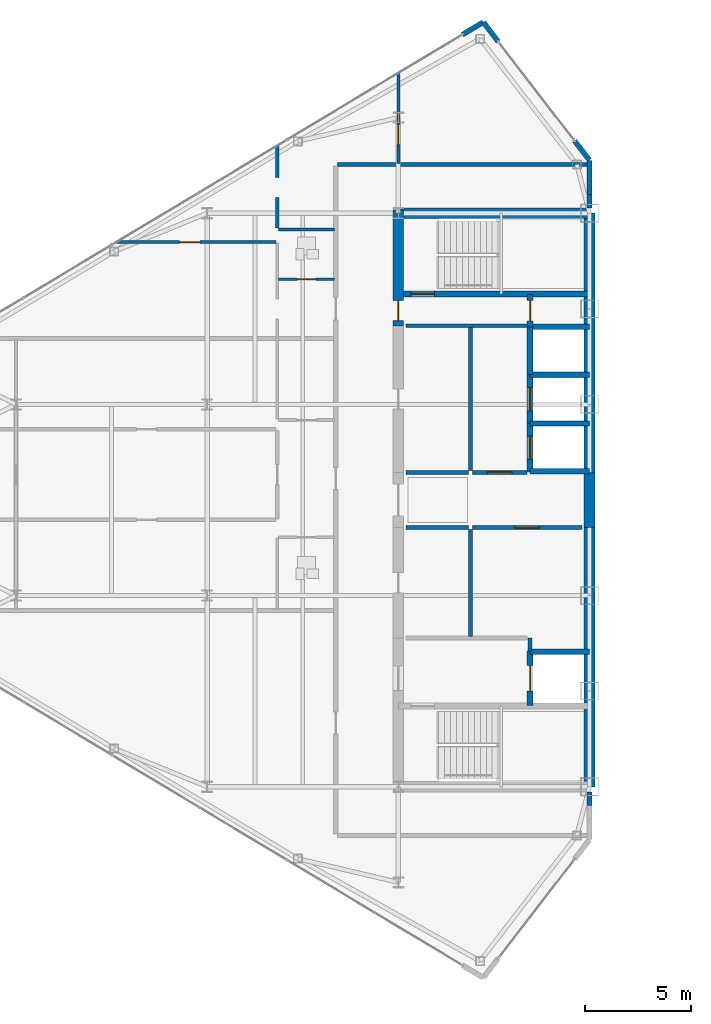
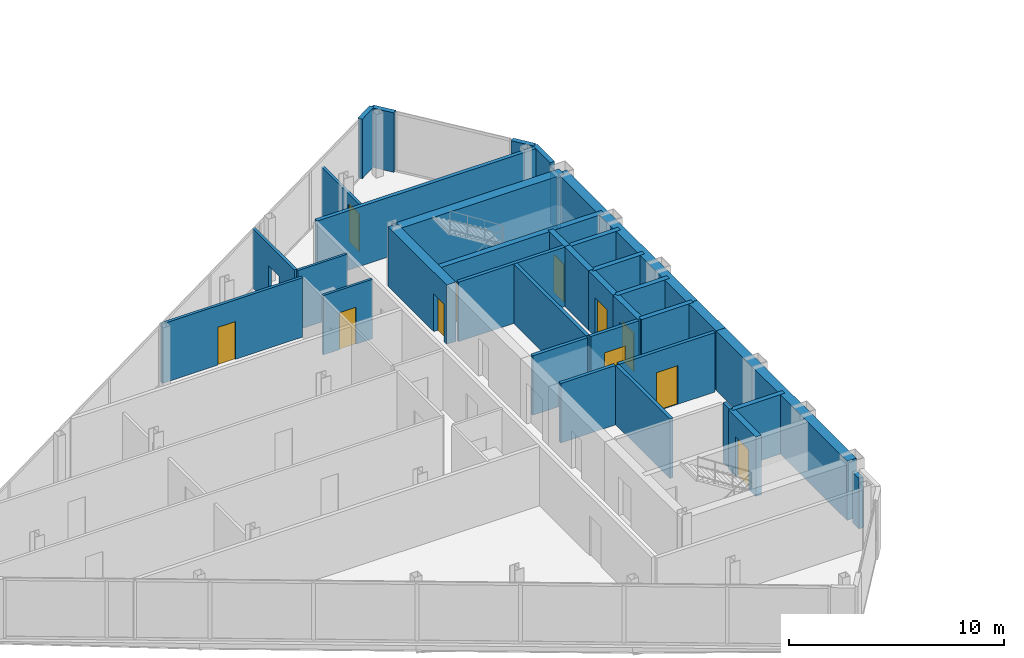
# One storey, part 20 of 25: 36 walls, 11 doors, 12 openings.
"""IFC4 building model written with IfcOpenShell, lengths in metres."""

from ifc_helpers import new_model, si_unit, direction, frame, frame_2d, origin, place, context, subcontext, project, spatial, rectangle, extrude, source, transform, mapped, material, layer, layer_set, type_object, type_shapes, element, fill, save


model = new_model("IFC4")

# Units and contexts
model_context = context("Model", 3, precision=1e-05, world=origin(), true_north=direction((0.0, 1.0)))
body_context = subcontext(model_context, "Body", "Model", "MODEL_VIEW")
ifc_project = project(units=[si_unit("LENGTHUNIT", "METRE"), si_unit("AREAUNIT", "SQUARE_METRE"), si_unit("VOLUMEUNIT", "CUBIC_METRE"), si_unit("PLANEANGLEUNIT", "RADIAN"), si_unit("MASSUNIT", "GRAM", prefix="KILO")], contexts=[model_context])

# Site, building, storey
site_placement = place(None, origin())
site = spatial("IfcSite", under=ifc_project, at=site_placement, CompositionType="ELEMENT")
building_placement = place(site_placement, origin())
building = spatial("IfcBuilding", under=site, at=building_placement, Name="Seokmaru Belvedere", CompositionType="ELEMENT")
storey_placement = place(building_placement, frame((0.0, 0.0, 217.5)))
storey = spatial("IfcBuildingStorey", under=building, at=storey_placement, Name="L58", CompositionType="ELEMENT", Elevation=217.5)

# Wall, opening, door
ifc_material_1 = material(Name="Fire-Rated Gypsum Shaftwall")
ifc_layer_1 = layer(ifc_material_1, 0.14990234375)
ifc_layer_set_1 = layer_set([ifc_layer_1], Name="Fire-Rated Gypsum Shaftwall")
wall_type_1 = type_object("IfcWallType", Name="Apartment Fire-Acoustic Room Partition 150", PredefinedType="PARTITIONING", material=ifc_layer_set_1)
wall_1_placement = place(storey_placement, frame((-49.802001953125, 12.139892578125, 0.0), z_axis=(0.0, 0.0, 1.0), x_axis=(1.0, 0.0, 0.0)))
wall_1 = element("IfcWall", 1, at=wall_1_placement, inside=storey, type_object=wall_type_1, Name="L58 Interior Partition 016", PredefinedType="PARTITIONING", context=body_context, shape_type="SweptSolid", body=[
    extrude(rectangle(XDim=7.552001953125, YDim=0.14990234375, at=frame_2d((3.77587890625, 0.0))), origin(), (0.0, 0.0, 1.0), 3.3798828125),
])
opening_1_placement = place(wall_1_placement, frame((3.001953125, 0.0, 0.0)))
opening_1 = element("IfcOpeningElement", 2, at=opening_1_placement, cuts=wall_1, Name="Opening D05", PredefinedType="OPENING", context=body_context, shape_type="SweptSolid", body=[
    extrude(rectangle(XDim=0.949951171875, YDim=2.14990234375, at=frame_2d((0.47509765625, 1.074951171875))), frame((0.0, 0.0849609375, 0.0), z_axis=(0.0, -1.0, 0.0), x_axis=(1.0, 0.0, 0.0)), (0.0, 0.0, 1.0), 0.169921875),
])
ifc_material_2 = material(Name="Engineered White Oak Timber", Category="wood")
door_type_1 = type_object("IfcDoorType", Name="Apartment Interior Fire-Rated Oak Door 950x2150", OperationType="NOTDEFINED", PredefinedType="DOOR", material=ifc_material_2)
shared_shape_1 = source(origin(), body_context, "Body", "SweptSolid", [
    extrude(rectangle(XDim=0.949951171875, YDim=2.14990234375, at=frame_2d((0.47509765625, 1.074951171875))), frame((0.0, 0.02490234375, 0.0), z_axis=(0.0, -1.0, 0.0), x_axis=(1.0, 0.0, 0.0)), (0.0, 0.0, 1.0), 0.050048828125),
])
type_shapes(door_type_1, [shared_shape_1])
door_1_placement = place(opening_1_placement, origin())
door_1 = element("IfcDoor", 3, at=door_1_placement, inside=storey, type_object=door_type_1, Name="L58 Interior Door 014", OperationType="SINGLE_SWING_RIGHT", OverallHeight=2.14990234375, OverallWidth=0.949951171875, PredefinedType="DOOR", context=body_context, shape_type="MappedRepresentation", body=[
    mapped(shared_shape_1, transform((0.0, 0.0, 0.0), scale=1.0)),
])
fill(opening_1, door_1)

# Wall, opening
wall_2_placement = place(storey_placement, frame((-42.199951171875, 12.794921875, 0.0), z_axis=(0.0, 0.0, 1.0), x_axis=(0.0, 1.0, 0.0)))
wall_2 = element("IfcWall", 4, at=wall_2_placement, inside=storey, type_object=wall_type_1, Name="L58 Interior Partition 024", PredefinedType="PARTITIONING", context=body_context, shape_type="SweptSolid", body=[
    extrude(rectangle(XDim=3.920166015625, YDim=0.14990234375, at=frame_2d((1.9599609375, 0.0))), origin(), (0.0, 0.0, 1.0), 3.3798828125),
])
opening_2_placement = place(wall_2_placement, frame((1.4423828125, 0.0, 0.0)))
element("IfcOpeningElement", 5, at=opening_2_placement, cuts=wall_2, Name="L58 Cased Opening 015", PredefinedType="OPENING", context=body_context, shape_type="SweptSolid", body=[
    extrude(rectangle(XDim=0.949951171875, YDim=2.14990234375, at=frame_2d((0.47509765625, 1.074951171875))), frame((0.0, 0.0849609375, 0.0), z_axis=(0.0, -1.0, 0.0), x_axis=(1.0, 0.0, 0.0)), (0.0, 0.0, 1.0), 0.169921875),
])

# Wall, opening, door
wall_3_placement = place(storey_placement, frame((-36.5, 15.85009765625, 0.0), z_axis=(0.0, 0.0, 1.0), x_axis=(0.0, 1.0, 0.0)))
wall_3 = element("IfcWall", 6, at=wall_3_placement, inside=storey, type_object=wall_type_1, Name="L58 Interior Partition 026", PredefinedType="PARTITIONING", context=body_context, shape_type="SweptSolid", body=[
    extrude(rectangle(XDim=4.284912109375, YDim=0.14990234375, at=frame_2d((2.142578125, 0.0))), origin(), (0.0, 0.0, 1.0), 2.780029296875),
])
opening_3_placement = place(wall_3_placement, frame((0.8779296875, 0.0, 0.0)))
opening_3 = element("IfcOpeningElement", 7, at=opening_3_placement, cuts=wall_3, Name="Opening D05", PredefinedType="OPENING", context=body_context, shape_type="SweptSolid", body=[
    extrude(rectangle(XDim=0.949951171875, YDim=2.14990234375, at=frame_2d((0.47509765625, 1.074951171875))), frame((0.0, 0.0849609375, 0.0), z_axis=(0.0, -1.0, 0.0), x_axis=(1.0, 0.0, 0.0)), (0.0, 0.0, 1.0), 0.169921875),
])
door_2_placement = place(opening_3_placement, origin())
door_2 = element("IfcDoor", 8, at=door_2_placement, inside=storey, type_object=door_type_1, Name="L58 Interior Door 016", OperationType="SINGLE_SWING_RIGHT", OverallHeight=2.14990234375, OverallWidth=0.949951171875, PredefinedType="DOOR", context=body_context, shape_type="MappedRepresentation", body=[
    mapped(shared_shape_1, transform((0.0, 0.0, 0.0), scale=1.0)),
])
fill(opening_3, door_2)

# Walls
ifc_layer_2 = layer(ifc_material_1, 0.179931640625)
ifc_layer_set_2 = layer_set([ifc_layer_2], Name="Fire-Rated Gypsum Shaftwall")
wall_type_2 = type_object("IfcWallType", Name="Core Service Fire Partition 180", PredefinedType="PARTITIONING", material=ifc_layer_set_2)
wall_4_placement = place(storey_placement, frame((-30.300048828125, -7.1201171875, 0.0), z_axis=(0.0, 0.0, 1.0), x_axis=(0.0, 1.0, 0.0)))
element("IfcWall", 9, at=wall_4_placement, inside=storey, type_object=wall_type_2, Name="L58 West Firefighting Lobby East Closure Wall", PredefinedType="PARTITIONING", context=body_context, shape_type="SweptSolid", body=[
    extrude(rectangle(XDim=0.6201171875, YDim=0.179931640625, at=frame_2d((0.31005859375, 0.0))), origin(), (0.0, 0.0, 1.0), 3.3798828125),
])
wall_5_placement = place(storey_placement, frame((-36.14990234375, 8.199951171875, 0.0), z_axis=(0.0, 0.0, 1.0), x_axis=(1.0, 0.0, 0.0)))
element("IfcWall", 10, at=wall_5_placement, inside=storey, type_object=wall_type_2, Name="L58 West Smokeproof Vestibule Partition", PredefinedType="PARTITIONING", context=body_context, shape_type="SweptSolid", body=[
    extrude(rectangle(XDim=5.699951171875, YDim=0.179931640625, at=frame_2d((2.85009765625, 0.0))), origin(), (0.0, 0.0, 1.0), 3.3798828125),
])
wall_6_placement = place(storey_placement, frame((-33.10009765625, -6.419921875, 0.0), z_axis=(0.0, 0.0, 1.0), x_axis=(0.0, 1.0, 0.0)))
element("IfcWall", 11, at=wall_6_placement, inside=storey, type_object=wall_type_2, Name="L58 West South Core Service Back Wall", PredefinedType="PARTITIONING", context=body_context, shape_type="SweptSolid", body=[
    extrude(rectangle(XDim=5.0400390625, YDim=0.179931640625, at=frame_2d((2.52001953125, 0.0))), origin(), (0.0, 0.0, 1.0), 3.3798828125),
])
wall_7_placement = place(storey_placement, frame((-33.10009765625, 1.3798828125, 0.0), z_axis=(0.0, 0.0, 1.0), x_axis=(0.0, 1.0, 0.0)))
element("IfcWall", 12, at=wall_7_placement, inside=storey, type_object=wall_type_2, Name="L58 West North Core Service Back Wall", PredefinedType="PARTITIONING", context=body_context, shape_type="SweptSolid", body=[
    extrude(rectangle(XDim=6.740234375, YDim=0.179931640625, at=frame_2d((3.3701171875, 0.0))), origin(), (0.0, 0.0, 1.0), 3.3798828125),
])

# Wall, opening, door
wall_8_placement = place(storey_placement, frame((-33.02001953125, -1.300048828125, 0.0), z_axis=(0.0, 0.0, 1.0), x_axis=(1.0, 0.0, 0.0)))
wall_8 = element("IfcWall", 13, at=wall_8_placement, inside=storey, type_object=wall_type_2, Name="L58 West South Lift Lobby Foyer Wall", PredefinedType="PARTITIONING", context=body_context, shape_type="SweptSolid", body=[
    extrude(rectangle(XDim=5.169921875, YDim=0.179931640625, at=frame_2d((2.5849609375, 0.0))), origin(), (0.0, 0.0, 1.0), 3.3798828125),
])
opening_4_placement = place(wall_8_placement, frame((2.010009765625, 0.0, 0.0)))
opening_4 = element("IfcOpeningElement", 14, at=opening_4_placement, cuts=wall_8, Name="Opening D02", PredefinedType="OPENING", context=body_context, shape_type="SweptSolid", body=[
    extrude(rectangle(XDim=1.14990234375, YDim=2.199951171875, at=frame_2d((0.574951171875, 1.10009765625))), frame((0.0, 0.10009765625, 0.0), z_axis=(0.0, -1.0, 0.0), x_axis=(1.0, 0.0, 0.0)), (0.0, 0.0, 1.0), 0.199951171875),
])
ifc_material_3 = material(Name="Fire-Rated Steel Leaf", Category="steel")
door_type_2 = type_object("IfcDoorType", Name="Lobby and Vestibule Fire Door 1150x2200", OperationType="NOTDEFINED", PredefinedType="DOOR", material=ifc_material_3)
shared_shape_2 = source(origin(), body_context, "Body", "SweptSolid", [
    extrude(rectangle(XDim=1.14990234375, YDim=2.199951171875, at=frame_2d((0.574951171875, 1.10009765625))), frame((0.0, 0.02490234375, 0.0), z_axis=(0.0, -1.0, 0.0), x_axis=(1.0, 0.0, 0.0)), (0.0, 0.0, 1.0), 0.050048828125),
])
type_shapes(door_type_2, [shared_shape_2])
door_3_placement = place(opening_4_placement, origin())
door_3 = element("IfcDoor", 15, at=door_3_placement, inside=storey, type_object=door_type_2, Name="L58 West South Core Foyer Door", OperationType="SINGLE_SWING_LEFT", OverallHeight=2.199951171875, OverallWidth=1.14990234375, PredefinedType="DOOR", context=body_context, shape_type="MappedRepresentation", body=[
    mapped(shared_shape_2, transform((0.0, 0.0, 0.0), scale=1.0)),
])
fill(opening_4, door_3)

wall_9_placement = place(storey_placement, frame((-33.02001953125, 1.300048828125, 0.0), z_axis=(0.0, 0.0, 1.0), x_axis=(1.0, 0.0, 0.0)))
wall_9 = element("IfcWall", 16, at=wall_9_placement, inside=storey, type_object=wall_type_2, Name="L58 West North Lift Lobby Foyer Wall", PredefinedType="PARTITIONING", context=body_context, shape_type="SweptSolid", body=[
    extrude(rectangle(XDim=2.570068359375, YDim=0.179931640625, at=frame_2d((1.28515625, 0.0))), origin(), (0.0, 0.0, 1.0), 3.3798828125),
])
opening_5_placement = place(wall_9_placement, frame((0.7099609375, 0.0, 0.0)))
opening_5 = element("IfcOpeningElement", 17, at=opening_5_placement, cuts=wall_9, Name="Opening D02", PredefinedType="OPENING", context=body_context, shape_type="SweptSolid", body=[
    extrude(rectangle(XDim=1.14990234375, YDim=2.199951171875, at=frame_2d((0.574951171875, 1.10009765625))), frame((0.0, 0.10009765625, 0.0), z_axis=(0.0, -1.0, 0.0), x_axis=(1.0, 0.0, 0.0)), (0.0, 0.0, 1.0), 0.199951171875),
])
door_4_placement = place(opening_5_placement, origin())
door_4 = element("IfcDoor", 18, at=door_4_placement, inside=storey, type_object=door_type_2, Name="L58 West North Lift Lobby Door", OperationType="SINGLE_SWING_RIGHT", OverallHeight=2.199951171875, OverallWidth=1.14990234375, PredefinedType="DOOR", context=body_context, shape_type="MappedRepresentation", body=[
    mapped(shared_shape_2, transform((0.0, 0.0, 0.0), scale=1.0)),
])
fill(opening_5, door_4)

# Walls
for number, where, z_axis, x_axis, name in (
    (19, (-36.14990234375, -1.300048828125, 0.0), (0.0, 0.0, 1.0), (1.0, 0.0, 0.0), "L58 West Foyer Side Wall S"),
    (20, (-36.14990234375, 1.300048828125, 0.0), (0.0, 0.0, 1.0), (1.0, 0.0, 0.0), "L58 West Foyer Side Wall N"),
):
    element("IfcWall", number, at=place(storey_placement, frame(where, z_axis=z_axis, x_axis=x_axis)), inside=storey, type_object=wall_type_2, Name=name, PredefinedType="PARTITIONING", context=body_context, shape_type="SweptSolid", body=[
        extrude(rectangle(XDim=2.949951171875, YDim=0.179931640625, at=frame_2d((1.47509765625, 0.0))), origin(), (0.0, 0.0, 1.0), 3.3798828125),
    ])
ifc_material_4 = material(Name="Concrete C50 (50 MPa)", Category="concrete")
ifc_layer_3 = layer(ifc_material_4, 0.25)
ifc_layer_set_3 = layer_set([ifc_layer_3], Name="Concrete C50 (50 MPa)")
wall_type_3 = type_object("IfcWallType", Name="Hoistway Transverse Concrete Divider Wall 250", PredefinedType="SHEAR", material=ifc_layer_set_3)
for number, where, z_axis, x_axis, name in (
    (21, (-30.300048828125, -7.14990234375, 0.0), (0.0, 0.0, 1.0), (1.0, 0.0, 0.0), "L58 West Hoistway Divider Core Wall 1"),
    (22, (-30.300048828125, 1.35009765625, 0.0), (0.0, 0.0, 1.0), (1.0, 0.0, 0.0), "L58 West Hoistway Divider Core Wall 2"),
    (23, (-30.300048828125, 3.60009765625, 0.0), (0.0, 0.0, 1.0), (1.0, 0.0, 0.0), "L58 West Hoistway Divider Core Wall 3"),
    (24, (-30.300048828125, 5.89990234375, 0.0), (0.0, 0.0, 1.0), (1.0, 0.0, 0.0), "L58 West Hoistway Divider Core Wall 4"),
    (25, (-30.300048828125, 8.14990234375, 0.0), (0.0, 0.0, 1.0), (1.0, 0.0, 0.0), "L58 West Hoistway Divider Core Wall 5"),
):
    element("IfcWall", number, at=place(storey_placement, frame(where, z_axis=z_axis, x_axis=x_axis)), inside=storey, type_object=wall_type_3, Name=name, PredefinedType="SHEAR", context=body_context, shape_type="SweptSolid", body=[
        extrude(rectangle(XDim=2.800048828125, YDim=0.25, at=frame_2d((1.39990234375, 0.0))), origin(), (0.0, 0.0, 1.0), 3.3798828125),
    ])
ifc_layer_4 = layer(ifc_material_1, 0.199951171875)
ifc_layer_set_4 = layer_set([ifc_layer_4], Name="Fire-Rated Gypsum Shaftwall")
wall_type_4 = type_object("IfcWallType", Name="Inter-Tenancy Fire Compartment Partition 200", PredefinedType="PARTITIONING", material=ifc_layer_set_4)
wall_10_placement = place(storey_placement, frame((-39.364990234375, 15.800048828125, 0.0), z_axis=(0.0, 0.0, 1.0), x_axis=(1.0, 0.0, 0.0)))
element("IfcWall", 26, at=wall_10_placement, inside=storey, type_object=wall_type_4, Name="L58 Interior Partition 018", PredefinedType="PARTITIONING", context=body_context, shape_type="SweptSolid", body=[
    extrude(rectangle(XDim=11.739990234375, YDim=0.199951171875, at=frame_2d((5.8701171875, 0.0))), origin(), (0.0, 0.0, 1.0), 3.3798828125),
])

# Wall, opening, door
ifc_layer_5 = layer(ifc_material_4, 0.300048828125)
ifc_layer_set_5 = layer_set([ifc_layer_5], Name="Concrete C50 (50 MPa)")
wall_type_5 = type_object("IfcWallType", Name="Internal Core Stair and Hoistway Wall 300", PredefinedType="SHEAR", material=ifc_layer_set_5)
wall_11_placement = place(storey_placement, frame((-36.5, 9.699951171875, 0.0), z_axis=(0.0, 0.0, 1.0), x_axis=(1.0, 0.0, 0.0)))
wall_11 = element("IfcWall", 27, at=wall_11_placement, inside=storey, type_object=wall_type_5, Name="L58 West Stair ST-2 Enclosure Wall", PredefinedType="SHEAR", context=body_context, shape_type="SweptSolid", body=[
    extrude(rectangle(XDim=9.0, YDim=0.300048828125, at=frame_2d((4.5, 0.0))), origin(), (0.0, 0.0, 1.0), 3.3798828125),
])
opening_6_placement = place(wall_11_placement, frame((0.60009765625, 0.0, 0.0)))
opening_6 = element("IfcOpeningElement", 28, at=opening_6_placement, cuts=wall_11, Name="Opening D01", PredefinedType="OPENING", context=body_context, shape_type="SweptSolid", body=[
    extrude(rectangle(XDim=1.10009765625, YDim=2.199951171875, at=frame_2d((0.550048828125, 1.10009765625))), frame((0.0, 0.16015625, 0.0), z_axis=(0.0, -1.0, 0.0), x_axis=(1.0, 0.0, 0.0)), (0.0, 0.0, 1.0), 0.320068359375),
])
door_type_3 = type_object("IfcDoorType", Name="Special Escape Stair Smokeproof Fire Door 1100x2200", OperationType="NOTDEFINED", PredefinedType="DOOR", material=ifc_material_3)
shared_shape_3 = source(origin(), body_context, "Body", "SweptSolid", [
    extrude(rectangle(XDim=1.10009765625, YDim=2.199951171875, at=frame_2d((0.550048828125, 1.10009765625))), frame((0.0, 0.02490234375, 0.0), z_axis=(0.0, -1.0, 0.0), x_axis=(1.0, 0.0, 0.0)), (0.0, 0.0, 1.0), 0.050048828125),
])
type_shapes(door_type_3, [shared_shape_3])
door_5_placement = place(opening_6_placement, origin())
door_5 = element("IfcDoor", 29, at=door_5_placement, inside=storey, type_object=door_type_3, Name="L58 West Special Escape Stair ST-2 Door", OperationType="SINGLE_SWING_RIGHT", OverallHeight=2.199951171875, OverallWidth=1.10009765625, PredefinedType="DOOR", context=body_context, shape_type="MappedRepresentation", body=[
    mapped(shared_shape_3, transform((0.0, 0.0, 0.0), scale=1.0)),
])
fill(opening_6, door_5)

wall_12_placement = place(storey_placement, frame((-30.300048828125, -9.679931640625, 0.0), z_axis=(0.0, 0.0, 1.0), x_axis=(0.0, 1.0, 0.0)))
wall_12 = element("IfcWall", 30, at=wall_12_placement, inside=storey, type_object=wall_type_5, Name="L58 West Firefighting Lift Shaft Front Wall", PredefinedType="SHEAR", context=body_context, shape_type="SweptSolid", body=[
    extrude(rectangle(XDim=2.559814453125, YDim=0.300048828125, at=frame_2d((1.27978515625, 0.0))), origin(), (0.0, 0.0, 1.0), 3.3798828125),
])
opening_7_placement = place(wall_12_placement, frame((0.679931640625, 0.0, 0.0)))
opening_7 = element("IfcOpeningElement", 31, at=opening_7_placement, cuts=wall_12, Name="Opening LD2", PredefinedType="OPENING", context=body_context, shape_type="SweptSolid", body=[
    extrude(rectangle(XDim=1.199951171875, YDim=2.25, at=frame_2d((0.60009765625, 1.125))), frame((0.0, 0.16015625, 0.0), z_axis=(0.0, -1.0, 0.0), x_axis=(1.0, 0.0, 0.0)), (0.0, 0.0, 1.0), 0.320068359375),
])
ifc_material_5 = material(Name="Stainless Steel 316", Category="steel")
door_type_4 = type_object("IfcDoorType", Name="Firefighting Lift Sliding Landing Door 1200x2250", OperationType="DOUBLE_DOOR_SLIDING", PredefinedType="DOOR", material=ifc_material_5)
shared_shape_4 = source(origin(), body_context, "Body", "SweptSolid", [
    extrude(rectangle(XDim=1.199951171875, YDim=2.25, at=frame_2d((0.60009765625, 1.125))), frame((0.0, 0.02490234375, 0.0), z_axis=(0.0, -1.0, 0.0), x_axis=(1.0, 0.0, 0.0)), (0.0, 0.0, 1.0), 0.050048828125),
])
type_shapes(door_type_4, [shared_shape_4])
door_6_placement = place(opening_7_placement, origin())
door_6 = element("IfcDoor", 32, at=door_6_placement, inside=storey, type_object=door_type_4, Name="L58 West Firefighting Lift Landing Door", OperationType="DOUBLE_DOOR_SLIDING", OverallHeight=2.25, OverallWidth=1.199951171875, PredefinedType="DOOR", context=body_context, shape_type="MappedRepresentation", body=[
    mapped(shared_shape_4, transform((0.0, 0.0, 0.0), scale=1.0)),
])
fill(opening_7, door_6)

wall_13_placement = place(storey_placement, frame((-30.300048828125, 1.320068359375, 0.0), z_axis=(0.0, 0.0, 1.0), x_axis=(0.0, 1.0, 0.0)))
wall_13 = element("IfcWall", 33, at=wall_13_placement, inside=storey, type_object=wall_type_5, Name="L58 West North Hoistway Wall PH1", PredefinedType="SHEAR", context=body_context, shape_type="SweptSolid", body=[
    extrude(rectangle(XDim=2.280029296875, YDim=0.300048828125, at=frame_2d((1.14013671875, 0.0))), origin(), (0.0, 0.0, 1.0), 3.3798828125),
])
opening_8_placement = place(wall_13_placement, frame((0.590087890625, 0.0, 0.0)))
opening_8 = element("IfcOpeningElement", 34, at=opening_8_placement, cuts=wall_13, Name="Opening LD1", PredefinedType="OPENING", context=body_context, shape_type="SweptSolid", body=[
    extrude(rectangle(XDim=1.10009765625, YDim=2.199951171875, at=frame_2d((0.550048828125, 1.10009765625))), frame((0.0, 0.16015625, 0.0), z_axis=(0.0, -1.0, 0.0), x_axis=(1.0, 0.0, 0.0)), (0.0, 0.0, 1.0), 0.320068359375),
])
door_type_5 = type_object("IfcDoorType", Name="Passenger Lift Sliding Landing Door 1100x2200", OperationType="DOUBLE_DOOR_SLIDING", PredefinedType="DOOR", material=ifc_material_5)
shared_shape_5 = source(origin(), body_context, "Body", "SweptSolid", [
    extrude(rectangle(XDim=1.10009765625, YDim=2.199951171875, at=frame_2d((0.550048828125, 1.10009765625))), frame((0.0, 0.02490234375, 0.0), z_axis=(0.0, -1.0, 0.0), x_axis=(1.0, 0.0, 0.0)), (0.0, 0.0, 1.0), 0.050048828125),
])
type_shapes(door_type_5, [shared_shape_5])
door_7_placement = place(opening_8_placement, origin())
door_7 = element("IfcDoor", 35, at=door_7_placement, inside=storey, type_object=door_type_5, Name="L58 West High-Rise Lift PH-1 Landing Door", OperationType="DOUBLE_DOOR_SLIDING", OverallHeight=2.199951171875, OverallWidth=1.10009765625, PredefinedType="DOOR", context=body_context, shape_type="MappedRepresentation", body=[
    mapped(shared_shape_5, transform((0.0, 0.0, 0.0), scale=1.0)),
])
fill(opening_8, door_7)

wall_14_placement = place(storey_placement, frame((-30.300048828125, 3.60009765625, 0.0), z_axis=(0.0, 0.0, 1.0), x_axis=(0.0, 1.0, 0.0)))
wall_14 = element("IfcWall", 36, at=wall_14_placement, inside=storey, type_object=wall_type_5, Name="L58 West North Hoistway Wall PH2", PredefinedType="SHEAR", context=body_context, shape_type="SweptSolid", body=[
    extrude(rectangle(XDim=2.2998046875, YDim=0.300048828125, at=frame_2d((1.14990234375, 0.0))), origin(), (0.0, 0.0, 1.0), 3.3798828125),
])
opening_9_placement = place(wall_14_placement, frame((0.60009765625, 0.0, 0.0)))
opening_9 = element("IfcOpeningElement", 37, at=opening_9_placement, cuts=wall_14, Name="Opening LD1", PredefinedType="OPENING", context=body_context, shape_type="SweptSolid", body=[
    extrude(rectangle(XDim=1.10009765625, YDim=2.199951171875, at=frame_2d((0.550048828125, 1.10009765625))), frame((0.0, 0.16015625, 0.0), z_axis=(0.0, -1.0, 0.0), x_axis=(1.0, 0.0, 0.0)), (0.0, 0.0, 1.0), 0.320068359375),
])
door_8_placement = place(opening_9_placement, origin())
door_8 = element("IfcDoor", 38, at=door_8_placement, inside=storey, type_object=door_type_5, Name="L58 West High-Rise Lift PH-2 Landing Door", OperationType="DOUBLE_DOOR_SLIDING", OverallHeight=2.199951171875, OverallWidth=1.10009765625, PredefinedType="DOOR", context=body_context, shape_type="MappedRepresentation", body=[
    mapped(shared_shape_5, transform((0.0, 0.0, 0.0), scale=1.0)),
])
fill(opening_9, door_8)

# Wall
wall_15_placement = place(storey_placement, frame((-30.300048828125, 5.89990234375, 0.0), z_axis=(0.0, 0.0, 1.0), x_axis=(0.0, 1.0, 0.0)))
element("IfcWall", 39, at=wall_15_placement, inside=storey, type_object=wall_type_5, Name="L58 West North Hoistway Wall OBS", PredefinedType="SHEAR", context=body_context, shape_type="SweptSolid", body=[
    extrude(rectangle(XDim=2.25, YDim=0.300048828125, at=frame_2d((1.125, 0.0))), origin(), (0.0, 0.0, 1.0), 3.3798828125),
])

# Wall, opening, door
wall_16_placement = place(storey_placement, frame((-30.300048828125, 8.14990234375, 0.0), z_axis=(0.0, 0.0, 1.0), x_axis=(0.0, 1.0, 0.0)))
wall_16 = element("IfcWall", 40, at=wall_16_placement, inside=storey, type_object=wall_type_5, Name="L58 West Electrical Riser Front Wall", PredefinedType="SHEAR", context=body_context, shape_type="SweptSolid", body=[
    extrude(rectangle(XDim=1.530029296875, YDim=0.300048828125, at=frame_2d((0.76513671875, 0.0))), origin(), (0.0, 0.0, 1.0), 3.3798828125),
])
opening_10_placement = place(wall_16_placement, frame((0.284912109375, 0.0, 0.0)))
opening_10 = element("IfcOpeningElement", 41, at=opening_10_placement, cuts=wall_16, Name="Opening D04", PredefinedType="OPENING", context=body_context, shape_type="SweptSolid", body=[
    extrude(rectangle(XDim=0.949951171875, YDim=2.14990234375, at=frame_2d((0.47509765625, 1.074951171875))), frame((0.0, 0.16015625, 0.0), z_axis=(0.0, -1.0, 0.0), x_axis=(1.0, 0.0, 0.0)), (0.0, 0.0, 1.0), 0.320068359375),
])
door_type_6 = type_object("IfcDoorType", Name="Core Service Room Fire Door 950x2150", OperationType="NOTDEFINED", PredefinedType="DOOR", material=ifc_material_3)
shared_shape_6 = source(origin(), body_context, "Body", "SweptSolid", [
    extrude(rectangle(XDim=0.949951171875, YDim=2.14990234375, at=frame_2d((0.47509765625, 1.074951171875))), frame((0.0, 0.02490234375, 0.0), z_axis=(0.0, -1.0, 0.0), x_axis=(1.0, 0.0, 0.0)), (0.0, 0.0, 1.0), 0.050048828125),
])
type_shapes(door_type_6, [shared_shape_6])
door_9_placement = place(opening_10_placement, origin())
door_9 = element("IfcDoor", 42, at=door_9_placement, inside=storey, type_object=door_type_6, Name="L58 West Electrical Riser Access Door", OperationType="SINGLE_SWING_LEFT", OverallHeight=2.14990234375, OverallWidth=0.949951171875, PredefinedType="DOOR", context=body_context, shape_type="MappedRepresentation", body=[
    mapped(shared_shape_6, transform((0.0, 0.0, 0.0), scale=1.0)),
])
fill(opening_10, door_9)

ifc_layer_6 = layer(ifc_material_1, 0.1298828125)
ifc_layer_set_6 = layer_set([ifc_layer_6], Name="Fire-Rated Gypsum Shaftwall")
wall_type_6 = type_object("IfcWallType", Name="Moisture-Resistant Fire-Rated Bathroom Partition 130", PredefinedType="PARTITIONING", material=ifc_layer_set_6)
wall_17_placement = place(storey_placement, frame((-42.14990234375, 10.389892578125, 0.0), z_axis=(0.0, 0.0, 1.0), x_axis=(1.0, 0.0, 0.0)))
wall_17 = element("IfcWall", 43, at=wall_17_placement, inside=storey, type_object=wall_type_6, Name="L58 Interior Partition 015", PredefinedType="PARTITIONING", context=body_context, shape_type="SweptSolid", body=[
    extrude(rectangle(XDim=2.64990234375, YDim=0.1298828125, at=frame_2d((1.324951171875, 0.0))), origin(), (0.0, 0.0, 1.0), 3.3798828125),
])
opening_11_placement = place(wall_17_placement, frame((0.885009765625, 0.0, 0.0)))
opening_11 = element("IfcOpeningElement", 44, at=opening_11_placement, cuts=wall_17, Name="Opening D06", PredefinedType="OPENING", context=body_context, shape_type="SweptSolid", body=[
    extrude(rectangle(XDim=0.8798828125, YDim=2.10009765625, at=frame_2d((0.43994140625, 1.050048828125))), frame((0.0, 0.074951171875, 0.0), z_axis=(0.0, -1.0, 0.0), x_axis=(1.0, 0.0, 0.0)), (0.0, 0.0, 1.0), 0.14990234375),
])
door_type_7 = type_object("IfcDoorType", Name="Bathroom and Restroom Fire-Rated Door 880x2100", OperationType="NOTDEFINED", PredefinedType="DOOR", material=ifc_material_2)
shared_shape_7 = source(origin(), body_context, "Body", "SweptSolid", [
    extrude(rectangle(XDim=0.8798828125, YDim=2.10009765625, at=frame_2d((0.43994140625, 1.050048828125))), frame((0.0, 0.02490234375, 0.0), z_axis=(0.0, -1.0, 0.0), x_axis=(1.0, 0.0, 0.0)), (0.0, 0.0, 1.0), 0.050048828125),
])
type_shapes(door_type_7, [shared_shape_7])
door_10_placement = place(opening_11_placement, origin())
door_10 = element("IfcDoor", 45, at=door_10_placement, inside=storey, type_object=door_type_7, Name="L58 Interior Door 012", OperationType="SINGLE_SWING_LEFT", OverallHeight=2.10009765625, OverallWidth=0.8798828125, PredefinedType="DOOR", context=body_context, shape_type="MappedRepresentation", body=[
    mapped(shared_shape_7, transform((0.0, 0.0, 0.0), scale=1.0)),
])
fill(opening_11, door_10)

# Walls
wall_18_placement = place(storey_placement, frame((-42.14990234375, 12.739990234375, 0.0), z_axis=(0.0, 0.0, 1.0), x_axis=(1.0, 0.0, 0.0)))
element("IfcWall", 46, at=wall_18_placement, inside=storey, type_object=wall_type_6, Name="L58 Interior Partition 017", PredefinedType="PARTITIONING", context=body_context, shape_type="SweptSolid", body=[
    extrude(rectangle(XDim=2.64990234375, YDim=0.1298828125, at=frame_2d((1.324951171875, 0.0))), origin(), (0.0, 0.0, 1.0), 3.3798828125),
])
ifc_material_6 = material(Name="Anodised Bronze Aluminium", Category="aluminium")
ifc_layer_7 = layer(ifc_material_6, 0.239990234375)
ifc_layer_set_7 = layer_set([ifc_layer_7], Name="Anodised Bronze Aluminium")
wall_type_7 = type_object("IfcWallType", Name="Tower Corner Spandrel Closure Wall 240", PredefinedType="SOLIDWALL", material=ifc_layer_set_7)
for number, where, z_axis, x_axis, name in (
    (47, (-27.5, -14.374755859375, 0.0), (0.0, 0.0, 1.0), (0.0, 1.0, 0.0), "L58 W Shoulder Closure Wall 1 Part 2"),
    (48, (-27.5, 13.7548828125, 0.0), (0.0, 0.0, 1.0), (0.0, 1.0, 0.0), "L58 W Shoulder Closure Wall 2"),
):
    element("IfcWall", number, at=place(storey_placement, frame(where, z_axis=z_axis, x_axis=x_axis)), inside=storey, type_object=wall_type_7, Name=name, PredefinedType="SOLIDWALL", context=body_context, shape_type="SweptSolid", body=[
        extrude(rectangle(XDim=0.619873046875, YDim=0.239990234375, at=frame_2d((0.31005859375, 0.0))), origin(), (0.0, 0.0, 1.0), 2.8798828125),
    ])
wall_19_placement = place(storey_placement, frame((-27.5, 14.374755859375, 0.0), z_axis=(0.0, 0.0, 1.0), x_axis=(0.0, 1.0, 0.0)))
element("IfcWall", 49, at=wall_19_placement, inside=storey, type_object=wall_type_7, Name="L58 W Shoulder Closure Wall 2 Part 2", PredefinedType="SOLIDWALL", context=body_context, shape_type="SweptSolid", body=[
    extrude(rectangle(XDim=1.605224609375, YDim=0.239990234375, at=frame_2d((0.802734375, 0.0))), origin(), (0.0, 0.0, 1.0), 3.3798828125),
])
for number, where, z_axis, x_axis, name in (
    (50, (-27.506103515625, 16.0078125, 0.0), (0.0, 0.0, 1.0), (-0.609617623633, 0.792695624408, 0.0), "L58 W Corner Closure Pier 2A"),
    (51, (-31.798828125, 21.58837890625, 0.0), (0.0, 0.0, 1.0), (-0.609617623633, 0.792695624408, 0.0), "L58 W Corner Closure Pier 2B"),
    (52, (-32.508544921875, 22.494873046875, 0.0), (0.0, 0.0, 1.0), (-0.85743623509, -0.514590228002, 0.0), "L58 W Corner Closure Pier 3A"),
):
    element("IfcWall", number, at=place(storey_placement, frame(where, z_axis=z_axis, x_axis=x_axis)), inside=storey, type_object=wall_type_7, Name=name, PredefinedType="SOLIDWALL", context=body_context, shape_type="SweptSolid", body=[
        extrude(rectangle(XDim=1.14013671875, YDim=0.239990234375, at=frame_2d((0.570068359375, 0.0))), origin(), (0.0, 0.0, 1.0), 3.3798828125),
    ])
ifc_layer_8 = layer(ifc_material_4, 0.5)
ifc_layer_set_8 = layer_set([ifc_layer_8], Name="Concrete C50 (50 MPa)")
wall_type_8 = type_object("IfcWallType", Name="Upper Tower Reinforced Concrete Core Wall 500", PredefinedType="SHEAR", material=ifc_layer_set_8)
for number, where, z_axis, x_axis, name in (
    (53, (-27.5, -13.5, 0.0), (0.0, 0.0, 1.0), (0.0, 1.0, 0.0), "L58 West Portal Spine Core Wall South"),
    (54, (-27.5, 1.300048828125, 0.0), (0.0, 0.0, 1.0), (0.0, 1.0, 0.0), "L58 West Portal Spine Core Wall North"),
):
    element("IfcWall", number, at=place(storey_placement, frame(where, z_axis=z_axis, x_axis=x_axis)), inside=storey, type_object=wall_type_8, Name=name, PredefinedType="SHEAR", context=body_context, shape_type="SweptSolid", body=[
        extrude(rectangle(XDim=12.199951171875, YDim=0.5, at=frame_2d((6.10009765625, 0.0))), origin(), (0.0, 0.0, 1.0), 3.3798828125),
    ])
wall_20_placement = place(storey_placement, frame((-27.5, -1.300048828125, 0.0), z_axis=(0.0, 0.0, 1.0), x_axis=(0.0, 1.0, 0.0)))
element("IfcWall", 55, at=wall_20_placement, inside=storey, type_object=wall_type_8, Name="L58 West Portal Spine Core Wall Center", PredefinedType="SHEAR", context=body_context, shape_type="SweptSolid", body=[
    extrude(rectangle(XDim=2.60009765625, YDim=0.5, at=frame_2d((1.300048828125, 0.0))), origin(), (0.0, 0.0, 1.0), 3.3798828125),
])
wall_21_placement = place(storey_placement, frame((-36.5, 13.5, 0.0), z_axis=(0.0, 0.0, 1.0), x_axis=(1.0, 0.0, 0.0)))
element("IfcWall", 56, at=wall_21_placement, inside=storey, type_object=wall_type_8, Name="L58 West North Core Wall", PredefinedType="SHEAR", context=body_context, shape_type="SweptSolid", body=[
    extrude(rectangle(XDim=9.0, YDim=0.5, at=frame_2d((4.5, 0.0))), origin(), (0.0, 0.0, 1.0), 3.3798828125),
])

# Wall, opening, door
wall_22_placement = place(storey_placement, frame((-36.5, 8.199951171875, 0.0), z_axis=(0.0, 0.0, 1.0), x_axis=(0.0, 1.0, 0.0)))
wall_22 = element("IfcWall", 57, at=wall_22_placement, inside=storey, type_object=wall_type_8, Name="L58 West West Core Wall VST", PredefinedType="SHEAR", context=body_context, shape_type="SweptSolid", body=[
    extrude(rectangle(XDim=5.449951171875, YDim=0.5, at=frame_2d((2.72509765625, 0.0))), origin(), (0.0, 0.0, 1.0), 3.3798828125),
])
opening_12_placement = place(wall_22_placement, frame((0.2451171875, 0.0, 0.0)))
opening_12 = element("IfcOpeningElement", 58, at=opening_12_placement, cuts=wall_22, Name="Opening D04", PredefinedType="OPENING", context=body_context, shape_type="SweptSolid", body=[
    extrude(rectangle(XDim=0.949951171875, YDim=2.14990234375, at=frame_2d((0.47509765625, 1.074951171875))), frame((0.0, 0.260009765625, 0.0), z_axis=(0.0, -1.0, 0.0), x_axis=(1.0, 0.0, 0.0)), (0.0, 0.0, 1.0), 0.52001953125),
])
door_11_placement = place(opening_12_placement, frame((0.949951171875, 0.0, 0.0), z_axis=(0.0, 0.0, 1.0), x_axis=(-1.0, 0.0, 0.0)))
door_11 = element("IfcDoor", 59, at=door_11_placement, inside=storey, type_object=door_type_6, Name="L58 West Smokeproof Vestibule Door", OperationType="SINGLE_SWING_RIGHT", OverallHeight=2.14990234375, OverallWidth=0.949951171875, PredefinedType="DOOR", context=body_context, shape_type="MappedRepresentation", body=[
    mapped(shared_shape_6, transform((0.0, 0.0, 0.0), scale=1.0)),
])
fill(opening_12, door_11)

save(model, "model.ifc")
